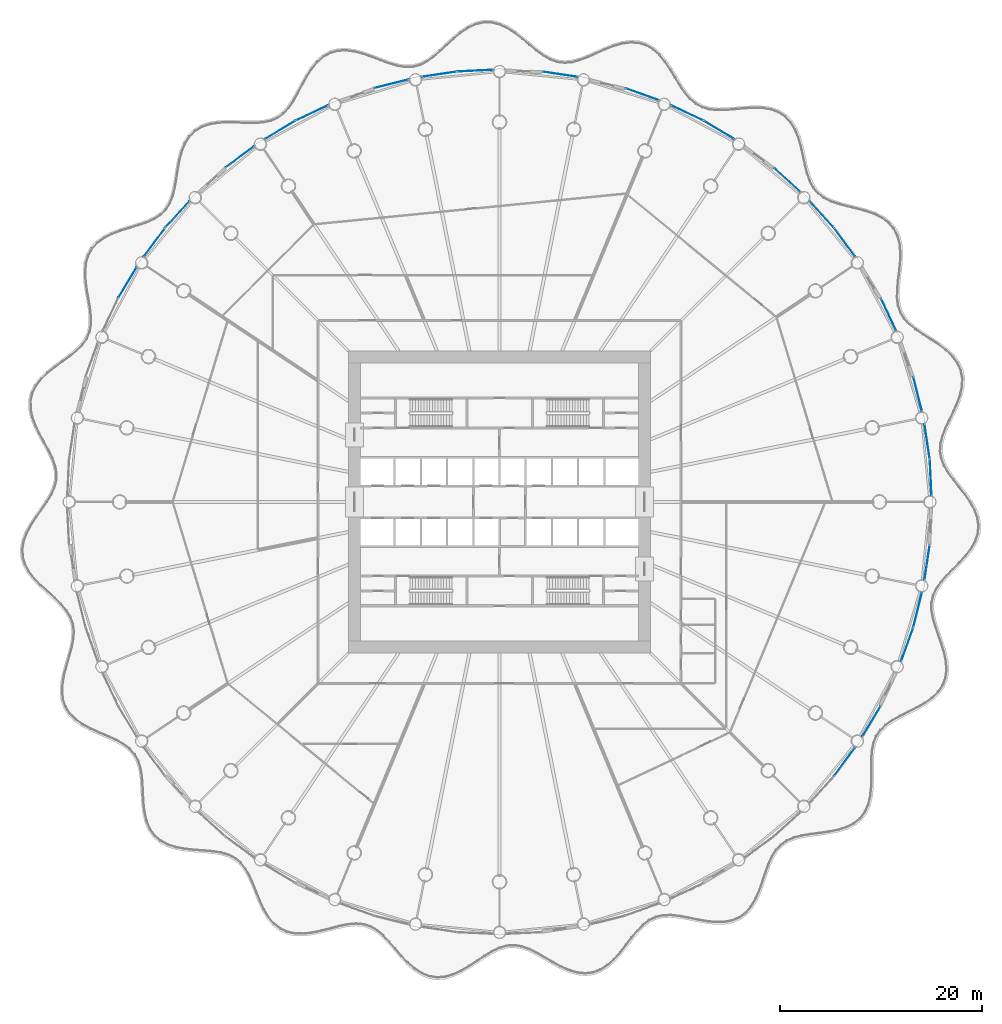
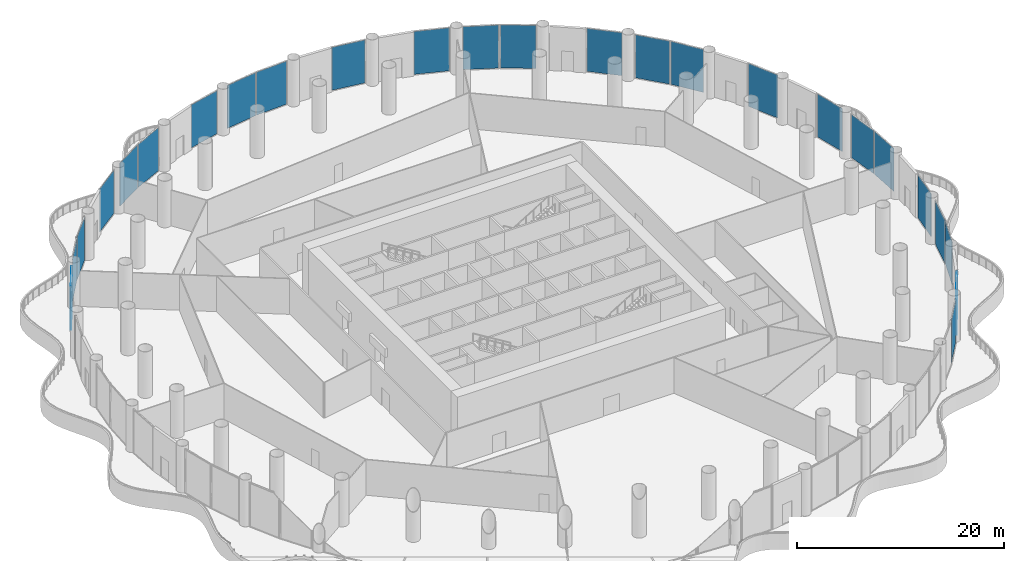
# One storey, part 22 of 37: 25 plates, 25 elements without a shape of their own.
"""IFC4 building model written with IfcOpenShell, lengths in metres."""

from ifc_helpers import new_model, si_unit, direction, frame, origin, origin_2d, place, context, subcontext, project, spatial, rectangle, extrude, material, layer, layer_set, type_object, element, aggregate, save


model = new_model("IFC4")

# Units and contexts
model_context = context("Model", 3, precision=1e-05, world=origin(), true_north=direction((0.0, 1.0)))
body_context = subcontext(model_context, "Body", "Model", "MODEL_VIEW")
ifc_project = project(units=[si_unit("LENGTHUNIT", "METRE"), si_unit("AREAUNIT", "SQUARE_METRE"), si_unit("VOLUMEUNIT", "CUBIC_METRE"), si_unit("PLANEANGLEUNIT", "RADIAN"), si_unit("MASSUNIT", "GRAM", prefix="KILO")], contexts=[model_context])

# Site, building, storey
site_placement = place(None, origin())
site = spatial("IfcSite", under=ifc_project, at=site_placement, CompositionType="ELEMENT")
building_placement = place(site_placement, origin())
building = spatial("IfcBuilding", under=site, at=building_placement, Name="Corvane Civic Tower", CompositionType="ELEMENT")
storey_placement = place(building_placement, frame((0.0, 0.0, 11.5)))
storey = spatial("IfcBuildingStorey", under=building, at=storey_placement, Name="L02", CompositionType="ELEMENT", Elevation=11.5)

# Curtain wall, plate
ifc_material_1 = material(Name="Aluminium and glass", Category="aluminium")
curtain_wall_type = type_object("IfcCurtainWallType", Name="PODIUM-CW-P-RUN", PredefinedType="NOTDEFINED", material=ifc_material_1)
curtain_wall_1_placement = place(storey_placement, origin())
curtain_wall_1 = element("IfcCurtainWall", 1, at=curtain_wall_1_placement, inside=storey, type_object=curtain_wall_type, Name="PODI run L02-drum-01B", PredefinedType="NOTDEFINED")
ifc_material_2 = material(Name="Glass tinted low-e laminated", Category="glass")
ifc_layer = layer(ifc_material_2, 0.031982421875)
ifc_layer_set = layer_set([ifc_layer], Name="Glass tinted low-e laminated")
plate_type = type_object("IfcPlateType", Name="PODIUM-CWP-PANEL-IGU32", PredefinedType="CURTAIN_PANEL", material=ifc_layer_set)
plate_1_placement = place(storey_placement, frame((5.991943359375, 42.4384765625, 0.06005859375), z_axis=(0.0, 0.0, 1.0), x_axis=(0.989178850608, -0.146714694252, 0.0)))
plate_1 = element("IfcPlate", 2, at=plate_1_placement, type_object=plate_type, Name="CW-P panel 1.1", PredefinedType="CURTAIN_PANEL", context=body_context, shape_type="SweptSolid", body=[
    extrude(rectangle(XDim=3.459716796875, YDim=0.031982421875, at=origin_2d()), origin(), (0.0, 0.0, 1.0), 5.080078125),
])
aggregate(curtain_wall_1, [plate_1])

curtain_wall_2_placement = place(storey_placement, origin())
curtain_wall_2 = element("IfcCurtainWall", 3, at=curtain_wall_2_placement, inside=storey, type_object=curtain_wall_type, Name="PODI run L02-drum-02B", PredefinedType="NOTDEFINED")
plate_2_placement = place(storey_placement, frame((14.156005859375, 40.453857421875, 0.06005859375), z_axis=(0.0, 0.0, 1.0), x_axis=(0.941533802561, -0.336918534123, 0.0)))
plate_2 = element("IfcPlate", 4, at=plate_2_placement, type_object=plate_type, Name="CW-P panel 1.1", PredefinedType="CURTAIN_PANEL", context=body_context, shape_type="SweptSolid", body=[
    extrude(rectangle(XDim=3.459716796875, YDim=0.031982421875, at=origin_2d()), origin(), (0.0, 0.0, 1.0), 5.080078125),
])
aggregate(curtain_wall_2, [plate_2])

curtain_wall_3_placement = place(storey_placement, origin())
curtain_wall_3 = element("IfcCurtainWall", 5, at=curtain_wall_3_placement, inside=storey, type_object=curtain_wall_type, Name="PODI run L02-drum-03A", PredefinedType="NOTDEFINED")
plate_3_placement = place(storey_placement, frame((18.595458984375, 38.614990234375, 0.06005859375), z_axis=(0.0, 0.0, 1.0), x_axis=(0.903990222454, -0.42755312852, 0.0)))
plate_3 = element("IfcPlate", 6, at=plate_3_placement, type_object=plate_type, Name="CW-P panel 1.1", PredefinedType="CURTAIN_PANEL", context=body_context, shape_type="SweptSolid", body=[
    extrude(rectangle(XDim=3.4599609375, YDim=0.031982421875, at=origin_2d()), origin(), (0.0, 0.0, 1.0), 5.080078125),
])
aggregate(curtain_wall_3, [plate_3])

curtain_wall_4_placement = place(storey_placement, origin())
curtain_wall_4 = element("IfcCurtainWall", 7, at=curtain_wall_4_placement, inside=storey, type_object=curtain_wall_type, Name="PODI run L02-drum-03B", PredefinedType="NOTDEFINED")
plate_4_placement = place(storey_placement, frame((21.776123046875, 36.914794921875, 0.06005859375), z_axis=(0.0, 0.0, 1.0), x_axis=(0.857719609779, -0.514117759857, 0.0)))
plate_4 = element("IfcPlate", 8, at=plate_4_placement, type_object=plate_type, Name="CW-P panel 1.1", PredefinedType="CURTAIN_PANEL", context=body_context, shape_type="SweptSolid", body=[
    extrude(rectangle(XDim=3.459716796875, YDim=0.031982421875, at=origin_2d()), origin(), (0.0, 0.0, 1.0), 5.080078125),
])
aggregate(curtain_wall_4, [plate_4])

curtain_wall_5_placement = place(storey_placement, origin())
curtain_wall_5 = element("IfcCurtainWall", 9, at=curtain_wall_5_placement, inside=storey, type_object=curtain_wall_type, Name="PODI run L02-drum-04B", PredefinedType="NOTDEFINED")
plate_5_placement = place(storey_placement, frame((28.5595703125, 31.957275390625, 0.06005859375), z_axis=(0.0, 0.0, 1.0), x_axis=(0.740935261089, -0.671576457952, 0.0)))
plate_5 = element("IfcPlate", 10, at=plate_5_placement, type_object=plate_type, Name="CW-P panel 1.1", PredefinedType="CURTAIN_PANEL", context=body_context, shape_type="SweptSolid", body=[
    extrude(rectangle(XDim=3.4599609375, YDim=0.031982421875, at=origin_2d()), origin(), (0.0, 0.0, 1.0), 5.080078125),
])
aggregate(curtain_wall_5, [plate_5])

curtain_wall_6_placement = place(storey_placement, origin())
curtain_wall_6 = element("IfcCurtainWall", 11, at=curtain_wall_6_placement, inside=storey, type_object=curtain_wall_type, Name="PODI run L02-drum-05A", PredefinedType="NOTDEFINED")
plate_6_placement = place(storey_placement, frame((31.957275390625, 28.5595703125, 0.06005859375), z_axis=(0.0, 0.0, 1.0), x_axis=(0.671576457952, -0.740935261089, 0.0)))
plate_6 = element("IfcPlate", 12, at=plate_6_placement, type_object=plate_type, Name="CW-P panel 1.1", PredefinedType="CURTAIN_PANEL", context=body_context, shape_type="SweptSolid", body=[
    extrude(rectangle(XDim=3.4599609375, YDim=0.031982421875, at=origin_2d()), origin(), (0.0, 0.0, 1.0), 5.080078125),
])
aggregate(curtain_wall_6, [plate_6])

curtain_wall_7_placement = place(storey_placement, origin())
curtain_wall_7 = element("IfcCurtainWall", 13, at=curtain_wall_7_placement, inside=storey, type_object=curtain_wall_type, Name="PODI run L02-drum-05B", PredefinedType="NOTDEFINED")
plate_7_placement = place(storey_placement, frame((34.245361328125, 25.771484375, 0.06005859375), z_axis=(0.0, 0.0, 1.0), x_axis=(0.595705104665, -0.803203229747, 0.0)))
plate_7 = element("IfcPlate", 14, at=plate_7_placement, type_object=plate_type, Name="CW-P panel 1.1", PredefinedType="CURTAIN_PANEL", context=body_context, shape_type="SweptSolid", body=[
    extrude(rectangle(XDim=3.459716796875, YDim=0.031982421875, at=origin_2d()), origin(), (0.0, 0.0, 1.0), 5.080078125),
])
aggregate(curtain_wall_7, [plate_7])

curtain_wall_8_placement = place(storey_placement, origin())
curtain_wall_8 = element("IfcCurtainWall", 15, at=curtain_wall_8_placement, inside=storey, type_object=curtain_wall_type, Name="PODI run L02-drum-06B", PredefinedType="NOTDEFINED")
plate_8_placement = place(storey_placement, frame((38.614990234375, 18.595458984375, 0.06005859375), z_axis=(0.0, 0.0, 1.0), x_axis=(0.42755312852, -0.903990222454, 0.0)))
plate_8 = element("IfcPlate", 16, at=plate_8_placement, type_object=plate_type, Name="CW-P panel 1.1", PredefinedType="CURTAIN_PANEL", context=body_context, shape_type="SweptSolid", body=[
    extrude(rectangle(XDim=3.4599609375, YDim=0.031982421875, at=origin_2d()), origin(), (0.0, 0.0, 1.0), 5.080078125),
])
aggregate(curtain_wall_8, [plate_8])

curtain_wall_9_placement = place(storey_placement, origin())
curtain_wall_9 = element("IfcCurtainWall", 17, at=curtain_wall_9_placement, inside=storey, type_object=curtain_wall_type, Name="PODI run L02-drum-07B", PredefinedType="NOTDEFINED")
plate_9_placement = place(storey_placement, frame((41.5009765625, 10.70458984375, 0.06005859375), z_axis=(0.0, 0.0, 1.0), x_axis=(0.243008852393, -0.970024070659, 0.0)))
plate_9 = element("IfcPlate", 18, at=plate_9_placement, type_object=plate_type, Name="CW-P panel 1.1", PredefinedType="CURTAIN_PANEL", context=body_context, shape_type="SweptSolid", body=[
    extrude(rectangle(XDim=3.459716796875, YDim=0.031982421875, at=origin_2d()), origin(), (0.0, 0.0, 1.0), 5.080078125),
])
aggregate(curtain_wall_9, [plate_9])

curtain_wall_10_placement = place(storey_placement, origin())
curtain_wall_10 = element("IfcCurtainWall", 19, at=curtain_wall_10_placement, inside=storey, type_object=curtain_wall_type, Name="PODI run L02-drum-08A", PredefinedType="NOTDEFINED")
plate_10_placement = place(storey_placement, frame((42.4384765625, 5.991943359375, 0.06005859375), z_axis=(0.0, 0.0, 1.0), x_axis=(0.146714694252, -0.989178850608, 0.0)))
plate_10 = element("IfcPlate", 20, at=plate_10_placement, type_object=plate_type, Name="CW-P panel 1.1", PredefinedType="CURTAIN_PANEL", context=body_context, shape_type="SweptSolid", body=[
    extrude(rectangle(XDim=3.459716796875, YDim=0.031982421875, at=origin_2d()), origin(), (0.0, 0.0, 1.0), 5.080078125),
])
aggregate(curtain_wall_10, [plate_10])

curtain_wall_11_placement = place(storey_placement, origin())
curtain_wall_11 = element("IfcCurtainWall", 21, at=curtain_wall_11_placement, inside=storey, type_object=curtain_wall_type, Name="PODI run L02-drum-08B", PredefinedType="NOTDEFINED")
plate_11_placement = place(storey_placement, frame((42.7919921875, 2.402587890625, 0.06005859375), z_axis=(0.0, 0.0, 1.0), x_axis=(0.04905015332, -0.998796316803, 0.0)))
plate_11 = element("IfcPlate", 22, at=plate_11_placement, type_object=plate_type, Name="CW-P panel 1.1", PredefinedType="CURTAIN_PANEL", context=body_context, shape_type="SweptSolid", body=[
    extrude(rectangle(XDim=3.4599609375, YDim=0.031982421875, at=origin_2d()), origin(), (0.0, 0.0, 1.0), 5.080078125),
])
aggregate(curtain_wall_11, [plate_11])

curtain_wall_12_placement = place(storey_placement, origin())
curtain_wall_12 = element("IfcCurtainWall", 23, at=curtain_wall_12_placement, inside=storey, type_object=curtain_wall_type, Name="PODI run L02-drum-09B", PredefinedType="NOTDEFINED")
plate_12_placement = place(storey_placement, frame((42.4384765625, -5.991943359375, 0.06005859375), z_axis=(0.0, 0.0, 1.0), x_axis=(-0.146714694252, -0.989178850608, 0.0)))
plate_12 = element("IfcPlate", 24, at=plate_12_placement, type_object=plate_type, Name="CW-P panel 1.1", PredefinedType="CURTAIN_PANEL", context=body_context, shape_type="SweptSolid", body=[
    extrude(rectangle(XDim=3.459716796875, YDim=0.031982421875, at=origin_2d()), origin(), (0.0, 0.0, 1.0), 5.080078125),
])
aggregate(curtain_wall_12, [plate_12])

curtain_wall_13_placement = place(storey_placement, origin())
curtain_wall_13 = element("IfcCurtainWall", 25, at=curtain_wall_13_placement, inside=storey, type_object=curtain_wall_type, Name="PODI run L02-drum-10A", PredefinedType="NOTDEFINED")
plate_13_placement = place(storey_placement, frame((41.5009765625, -10.70458984375, 0.06005859375), z_axis=(0.0, 0.0, 1.0), x_axis=(-0.243008852393, -0.970024070659, 0.0)))
plate_13 = element("IfcPlate", 26, at=plate_13_placement, type_object=plate_type, Name="CW-P panel 1.1", PredefinedType="CURTAIN_PANEL", context=body_context, shape_type="SweptSolid", body=[
    extrude(rectangle(XDim=3.459716796875, YDim=0.031982421875, at=origin_2d()), origin(), (0.0, 0.0, 1.0), 5.080078125),
])
aggregate(curtain_wall_13, [plate_13])

curtain_wall_14_placement = place(storey_placement, origin())
curtain_wall_14 = element("IfcCurtainWall", 27, at=curtain_wall_14_placement, inside=storey, type_object=curtain_wall_type, Name="PODI run L02-drum-10B", PredefinedType="NOTDEFINED")
plate_14_placement = place(storey_placement, frame((40.453857421875, -14.156005859375, 0.06005859375), z_axis=(0.0, 0.0, 1.0), x_axis=(-0.336918534123, -0.941533802561, 0.0)))
plate_14 = element("IfcPlate", 28, at=plate_14_placement, type_object=plate_type, Name="CW-P panel 1.1", PredefinedType="CURTAIN_PANEL", context=body_context, shape_type="SweptSolid", body=[
    extrude(rectangle(XDim=3.459716796875, YDim=0.031982421875, at=origin_2d()), origin(), (0.0, 0.0, 1.0), 5.080078125),
])
aggregate(curtain_wall_14, [plate_14])

curtain_wall_15_placement = place(storey_placement, origin())
curtain_wall_15 = element("IfcCurtainWall", 29, at=curtain_wall_15_placement, inside=storey, type_object=curtain_wall_type, Name="PODI run L02-drum-11B", PredefinedType="NOTDEFINED")
plate_15_placement = place(storey_placement, frame((36.914794921875, -21.776123046875, 0.06005859375), z_axis=(0.0, 0.0, 1.0), x_axis=(-0.514117759857, -0.857719609779, 0.0)))
plate_15 = element("IfcPlate", 30, at=plate_15_placement, type_object=plate_type, Name="CW-P panel 1.1", PredefinedType="CURTAIN_PANEL", context=body_context, shape_type="SweptSolid", body=[
    extrude(rectangle(XDim=3.459716796875, YDim=0.031982421875, at=origin_2d()), origin(), (0.0, 0.0, 1.0), 5.080078125),
])
aggregate(curtain_wall_15, [plate_15])

curtain_wall_16_placement = place(storey_placement, origin())
curtain_wall_16 = element("IfcCurtainWall", 31, at=curtain_wall_16_placement, inside=storey, type_object=curtain_wall_type, Name="PODI run L02-drum-12A", PredefinedType="NOTDEFINED")
plate_16_placement = place(storey_placement, frame((34.245361328125, -25.771484375, 0.06005859375), z_axis=(0.0, 0.0, 1.0), x_axis=(-0.595705104665, -0.803203229747, 0.0)))
plate_16 = element("IfcPlate", 32, at=plate_16_placement, type_object=plate_type, Name="CW-P panel 1.1", PredefinedType="CURTAIN_PANEL", context=body_context, shape_type="SweptSolid", body=[
    extrude(rectangle(XDim=3.459716796875, YDim=0.031982421875, at=origin_2d()), origin(), (0.0, 0.0, 1.0), 5.080078125),
])
aggregate(curtain_wall_16, [plate_16])

curtain_wall_17_placement = place(storey_placement, origin())
curtain_wall_17 = element("IfcCurtainWall", 33, at=curtain_wall_17_placement, inside=storey, type_object=curtain_wall_type, Name="PODI run L02-drum-27B", PredefinedType="NOTDEFINED")
plate_17_placement = place(storey_placement, frame((-36.914794921875, 21.776123046875, 0.06005859375), z_axis=(0.0, 0.0, 1.0), x_axis=(0.514117759857, 0.857719609779, 0.0)))
plate_17 = element("IfcPlate", 34, at=plate_17_placement, type_object=plate_type, Name="CW-P panel 1.1", PredefinedType="CURTAIN_PANEL", context=body_context, shape_type="SweptSolid", body=[
    extrude(rectangle(XDim=3.459716796875, YDim=0.031982421875, at=origin_2d()), origin(), (0.0, 0.0, 1.0), 5.080078125),
])
aggregate(curtain_wall_17, [plate_17])

curtain_wall_18_placement = place(storey_placement, origin())
curtain_wall_18 = element("IfcCurtainWall", 35, at=curtain_wall_18_placement, inside=storey, type_object=curtain_wall_type, Name="PODI run L02-drum-28A", PredefinedType="NOTDEFINED")
plate_18_placement = place(storey_placement, frame((-34.245361328125, 25.771484375, 0.06005859375), z_axis=(0.0, 0.0, 1.0), x_axis=(0.595705104665, 0.803203229747, 0.0)))
plate_18 = element("IfcPlate", 36, at=plate_18_placement, type_object=plate_type, Name="CW-P panel 1.1", PredefinedType="CURTAIN_PANEL", context=body_context, shape_type="SweptSolid", body=[
    extrude(rectangle(XDim=3.459716796875, YDim=0.031982421875, at=origin_2d()), origin(), (0.0, 0.0, 1.0), 5.080078125),
])
aggregate(curtain_wall_18, [plate_18])

curtain_wall_19_placement = place(storey_placement, origin())
curtain_wall_19 = element("IfcCurtainWall", 37, at=curtain_wall_19_placement, inside=storey, type_object=curtain_wall_type, Name="PODI run L02-drum-28B", PredefinedType="NOTDEFINED")
plate_19_placement = place(storey_placement, frame((-31.957275390625, 28.5595703125, 0.06005859375), z_axis=(0.0, 0.0, 1.0), x_axis=(0.671576457952, 0.740935261089, 0.0)))
plate_19 = element("IfcPlate", 38, at=plate_19_placement, type_object=plate_type, Name="CW-P panel 1.1", PredefinedType="CURTAIN_PANEL", context=body_context, shape_type="SweptSolid", body=[
    extrude(rectangle(XDim=3.4599609375, YDim=0.031982421875, at=origin_2d()), origin(), (0.0, 0.0, 1.0), 5.080078125),
])
aggregate(curtain_wall_19, [plate_19])

curtain_wall_20_placement = place(storey_placement, origin())
curtain_wall_20 = element("IfcCurtainWall", 39, at=curtain_wall_20_placement, inside=storey, type_object=curtain_wall_type, Name="PODI run L02-drum-29B", PredefinedType="NOTDEFINED")
plate_20_placement = place(storey_placement, frame((-25.771484375, 34.245361328125, 0.06005859375), z_axis=(0.0, 0.0, 1.0), x_axis=(0.803203229747, 0.595705104665, 0.0)))
plate_20 = element("IfcPlate", 40, at=plate_20_placement, type_object=plate_type, Name="CW-P panel 1.1", PredefinedType="CURTAIN_PANEL", context=body_context, shape_type="SweptSolid", body=[
    extrude(rectangle(XDim=3.459716796875, YDim=0.031982421875, at=origin_2d()), origin(), (0.0, 0.0, 1.0), 5.080078125),
])
aggregate(curtain_wall_20, [plate_20])

curtain_wall_21_placement = place(storey_placement, origin())
curtain_wall_21 = element("IfcCurtainWall", 41, at=curtain_wall_21_placement, inside=storey, type_object=curtain_wall_type, Name="PODI run L02-drum-30A", PredefinedType="NOTDEFINED")
plate_21_placement = place(storey_placement, frame((-21.776123046875, 36.914794921875, 0.06005859375), z_axis=(0.0, 0.0, 1.0), x_axis=(0.857719609779, 0.514117759857, 0.0)))
plate_21 = element("IfcPlate", 42, at=plate_21_placement, type_object=plate_type, Name="CW-P panel 1.1", PredefinedType="CURTAIN_PANEL", context=body_context, shape_type="SweptSolid", body=[
    extrude(rectangle(XDim=3.459716796875, YDim=0.031982421875, at=origin_2d()), origin(), (0.0, 0.0, 1.0), 5.080078125),
])
aggregate(curtain_wall_21, [plate_21])

curtain_wall_22_placement = place(storey_placement, origin())
curtain_wall_22 = element("IfcCurtainWall", 43, at=curtain_wall_22_placement, inside=storey, type_object=curtain_wall_type, Name="PODI run L02-drum-30B", PredefinedType="NOTDEFINED")
plate_22_placement = place(storey_placement, frame((-18.595458984375, 38.614990234375, 0.06005859375), z_axis=(0.0, 0.0, 1.0), x_axis=(0.903990222454, 0.42755312852, 0.0)))
plate_22 = element("IfcPlate", 44, at=plate_22_placement, type_object=plate_type, Name="CW-P panel 1.1", PredefinedType="CURTAIN_PANEL", context=body_context, shape_type="SweptSolid", body=[
    extrude(rectangle(XDim=3.4599609375, YDim=0.031982421875, at=origin_2d()), origin(), (0.0, 0.0, 1.0), 5.080078125),
])
aggregate(curtain_wall_22, [plate_22])

curtain_wall_23_placement = place(storey_placement, origin())
curtain_wall_23 = element("IfcCurtainWall", 45, at=curtain_wall_23_placement, inside=storey, type_object=curtain_wall_type, Name="PODI run L02-drum-31B", PredefinedType="NOTDEFINED")
plate_23_placement = place(storey_placement, frame((-10.70458984375, 41.5009765625, 0.06005859375), z_axis=(0.0, 0.0, 1.0), x_axis=(0.970024070659, 0.243008852393, 0.0)))
plate_23 = element("IfcPlate", 46, at=plate_23_placement, type_object=plate_type, Name="CW-P panel 1.1", PredefinedType="CURTAIN_PANEL", context=body_context, shape_type="SweptSolid", body=[
    extrude(rectangle(XDim=3.459716796875, YDim=0.031982421875, at=origin_2d()), origin(), (0.0, 0.0, 1.0), 5.080078125),
])
aggregate(curtain_wall_23, [plate_23])

curtain_wall_24_placement = place(storey_placement, origin())
curtain_wall_24 = element("IfcCurtainWall", 47, at=curtain_wall_24_placement, inside=storey, type_object=curtain_wall_type, Name="PODI run L02-drum-32A", PredefinedType="NOTDEFINED")
plate_24_placement = place(storey_placement, frame((-5.991943359375, 42.4384765625, 0.06005859375), z_axis=(0.0, 0.0, 1.0), x_axis=(0.989178850608, 0.146714694252, 0.0)))
plate_24 = element("IfcPlate", 48, at=plate_24_placement, type_object=plate_type, Name="CW-P panel 1.1", PredefinedType="CURTAIN_PANEL", context=body_context, shape_type="SweptSolid", body=[
    extrude(rectangle(XDim=3.459716796875, YDim=0.031982421875, at=origin_2d()), origin(), (0.0, 0.0, 1.0), 5.080078125),
])
aggregate(curtain_wall_24, [plate_24])

curtain_wall_25_placement = place(storey_placement, origin())
curtain_wall_25 = element("IfcCurtainWall", 49, at=curtain_wall_25_placement, inside=storey, type_object=curtain_wall_type, Name="PODI run L02-drum-32B", PredefinedType="NOTDEFINED")
plate_25_placement = place(storey_placement, frame((-2.402587890625, 42.7919921875, 0.06005859375), z_axis=(0.0, 0.0, 1.0), x_axis=(0.998796316803, 0.04905015332, 0.0)))
plate_25 = element("IfcPlate", 50, at=plate_25_placement, type_object=plate_type, Name="CW-P panel 1.1", PredefinedType="CURTAIN_PANEL", context=body_context, shape_type="SweptSolid", body=[
    extrude(rectangle(XDim=3.4599609375, YDim=0.031982421875, at=origin_2d()), origin(), (0.0, 0.0, 1.0), 5.080078125),
])
aggregate(curtain_wall_25, [plate_25])

save(model, "model.ifc")
